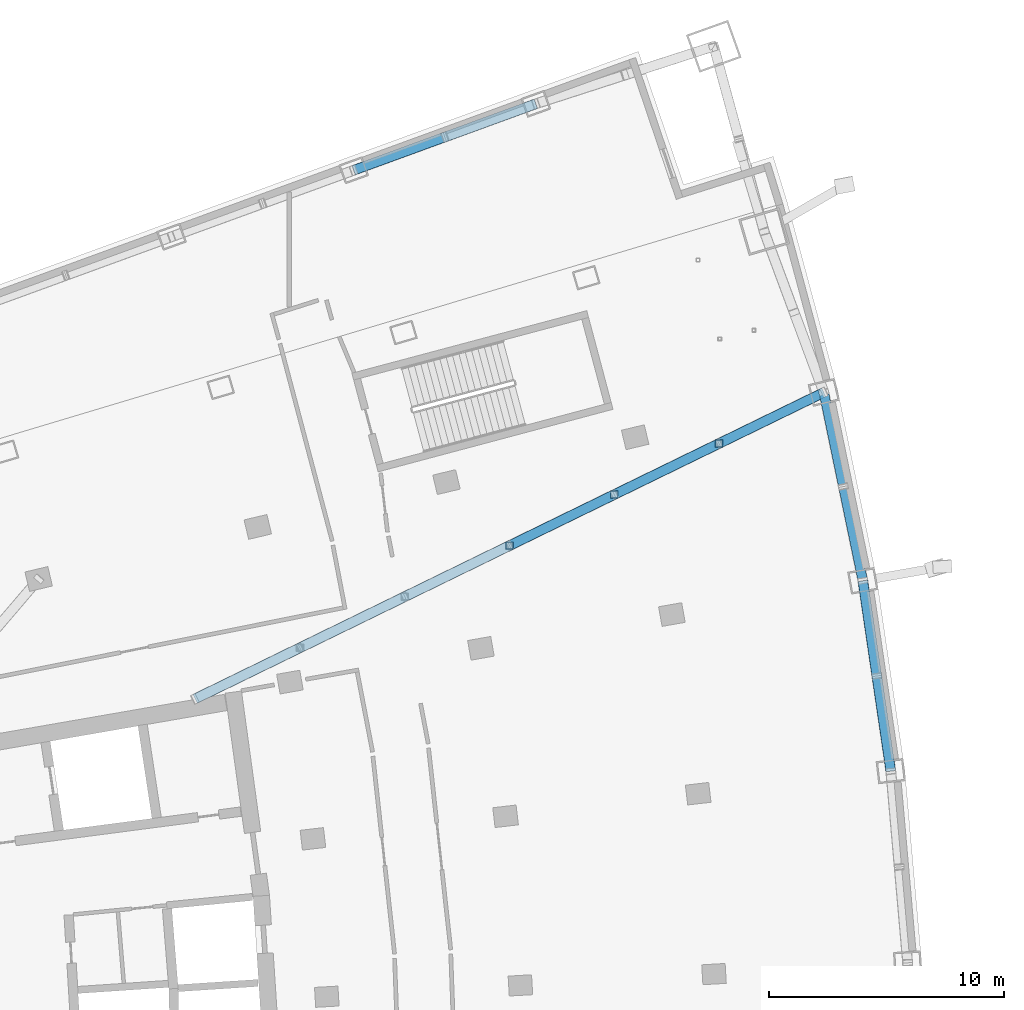
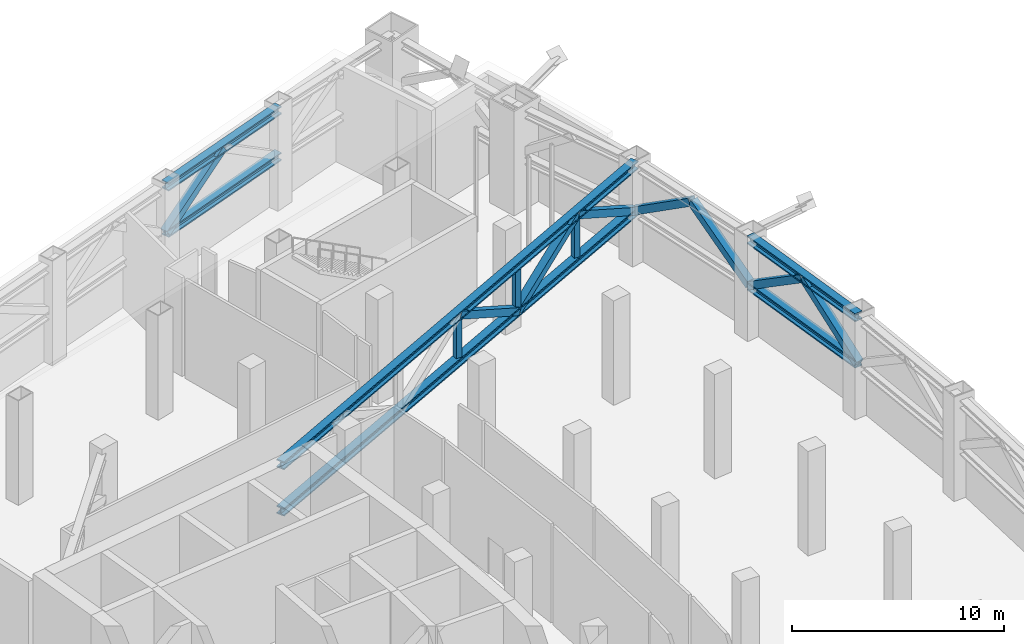
# One storey, part 14 of 26: 17 members.
"""IFC4 building model written with IfcOpenShell, lengths in metres."""

from ifc_helpers import new_model, si_unit, direction, frame, origin, origin_2d, place, context, subcontext, project, spatial, hollow_rectangle, i_section, extrude, material, material_profile, profile_set, type_object, element, save


model = new_model("IFC4")

# Units and contexts
model_context = context("Model", 3, precision=1e-05, world=origin(), true_north=direction((0.0, 1.0)))
body_context = subcontext(model_context, "Body", "Model", "MODEL_VIEW")
ifc_project = project(units=[si_unit("LENGTHUNIT", "METRE"), si_unit("AREAUNIT", "SQUARE_METRE"), si_unit("VOLUMEUNIT", "CUBIC_METRE"), si_unit("PLANEANGLEUNIT", "RADIAN"), si_unit("MASSUNIT", "GRAM", prefix="KILO")], contexts=[model_context])

# Site, building, storey
site_placement = place(None, origin())
site = spatial("IfcSite", under=ifc_project, at=site_placement, CompositionType="ELEMENT")
building_placement = place(site_placement, origin())
building = spatial("IfcBuilding", under=site, at=building_placement, Name="Alderwake Tower", CompositionType="ELEMENT")
storey_placement = place(building_placement, frame((0.0, 0.0, 132.800048828125)))
storey = spatial("IfcBuildingStorey", under=building, at=storey_placement, Name="L32", CompositionType="ELEMENT", Elevation=132.800048828125)

# Members
ifc_material_1 = material(Name="Steel ASTM A992 Grade 50", Category="steel")
ifc_material_profile_1 = material_profile(ifc_material_1, i_section(OverallWidth=0.42138671875, OverallDepth=0.464599609375, WebThickness=0.044921875, FlangeThickness=0.072265625, at=origin_2d()), Name="W14X398")
ifc_profile_set_1 = profile_set([ifc_material_profile_1], Name="Steel ASTM A992 Grade 50")
member_type_1 = type_object("IfcMemberType", Name="Belt truss chord W14X398", PredefinedType="CHORD", material=ifc_profile_set_1)
for number, where, z_axis, x_axis, name in (
    (1, (59.644287109375, 77.3662109375, 5.44775390625), (-0.145317422974, 0.989385085081, 0.0), (-0.989385085081, -0.145317422974, 0.0), "Belt truss chord BT32F09.T"),
    (2, (59.644287109375, 77.3662109375, 2.7822265625), (-0.145317422974, 0.989385085081, 0.0), (-0.989385085081, -0.145317422974, 0.0), "Belt truss chord BT32F09.B"),
):
    element("IfcMember", number, at=place(storey_placement, frame(where, z_axis=z_axis, x_axis=x_axis)), inside=storey, type_object=member_type_1, Name=name, PredefinedType="CHORD", context=body_context, shape_type="SweptSolid", body=[
        extrude(i_section(OverallWidth=0.42138671875, OverallDepth=0.464599609375, WebThickness=0.044921875, FlangeThickness=0.072265625, at=origin_2d()), origin(), (0.0, 0.0, 1.0), 8.200439453125),
    ])
for number, where, z_axis, x_axis, name in (
    (3, (36.749267578125, 102.97802734375, 5.44775390625), (0.939371061086, 0.342902332441, 0.0), (-0.342902332441, 0.939371061086, 0.0), "Belt truss chord BT32E133.T"),
    (4, (36.749267578125, 102.97802734375, 2.7822265625), (0.939371061086, 0.342902332441, 0.0), (-0.342902332441, 0.939371061086, 0.0), "Belt truss chord BT32E133.B"),
):
    element("IfcMember", number, at=place(storey_placement, frame(where, z_axis=z_axis, x_axis=x_axis)), inside=storey, type_object=member_type_1, Name=name, PredefinedType="CHORD", context=body_context, shape_type="SweptSolid", body=[
        extrude(i_section(OverallWidth=0.42138671875, OverallDepth=0.464599609375, WebThickness=0.044921875, FlangeThickness=0.072265625, at=origin_2d()), origin(), (0.0, 0.0, 1.0), 8.266845703125),
    ])
ifc_material_2 = material(Name="Steel ASTM A500 Grade C", Category="steel")
ifc_material_profile_2 = material_profile(ifc_material_2, hollow_rectangle(XDim=0.406494140625, YDim=0.406494140625, WallThickness=0.014892578125, at=origin_2d()), Name="HSS16X16X5/8")
ifc_profile_set_2 = profile_set([ifc_material_profile_2], Name="Steel ASTM A500 Grade C")
member_type_2 = type_object("IfcMemberType", Name="Belt truss diagonal HSS16X16X5/8", PredefinedType="BRACE", material=ifc_profile_set_2)
for number, where, z_axis, x_axis, name in (
    (5, (59.644287109375, 77.3662109375, 2.7822265625), (-0.121859338603, 0.829502159047, 0.545047217891), (-0.989380804195, -0.145346566144, 0.0), "Belt truss diagonal BT32F09.D1"),
    (6, (58.45263671875, 85.4794921875, 2.7822265625), (0.121810157588, -0.829507204294, 0.545050533009), (0.989389365145, 0.145288279427, 0.0), "Belt truss diagonal BT32F09.D2"),
):
    element("IfcMember", number, at=place(storey_placement, frame(where, z_axis=z_axis, x_axis=x_axis)), inside=storey, type_object=member_type_2, Name=name, PredefinedType="BRACE", context=body_context, shape_type="SweptSolid", body=[
        extrude(hollow_rectangle(XDim=0.406494140625, YDim=0.406494140625, WallThickness=0.014892578125, at=origin_2d()), origin(), (0.0, 0.0, 1.0), 4.890380859375),
    ])
for number, where, z_axis, x_axis, name in (
    (7, (58.45263671875, 85.4794921875, 2.7822265625), (-0.169980864574, 0.821000087748, 0.545037027729), (-0.979232302326, -0.202741456246, 0.0), "Belt truss diagonal BT32F10.D1"),
    (8, (56.789794921875, 93.509765625, 2.7822265625), (0.170029342525, -0.820993120129, 0.545032402139), (0.979220479818, 0.202798550058, 0.0), "Belt truss diagonal BT32F10.D2"),
):
    element("IfcMember", number, at=place(storey_placement, frame(where, z_axis=z_axis, x_axis=x_axis)), inside=storey, type_object=member_type_2, Name=name, PredefinedType="BRACE", context=body_context, shape_type="SweptSolid", body=[
        extrude(hollow_rectangle(XDim=0.406494140625, YDim=0.406494140625, WallThickness=0.014892578125, at=origin_2d()), origin(), (0.0, 0.0, 1.0), 4.890625),
    ])
member_placement = place(storey_placement, frame((36.749267578125, 102.97802734375, 2.7822265625), z_axis=(0.789448527034, 0.288200336265, 0.541951648526), x_axis=(-0.34292839209, 0.93936154802, 0.0)))
element("IfcMember", 9, at=member_placement, inside=storey, type_object=member_type_2, Name="Belt truss diagonal BT32E133.D1", PredefinedType="BRACE", context=body_context, shape_type="SweptSolid", body=[
    extrude(hollow_rectangle(XDim=0.406494140625, YDim=0.406494140625, WallThickness=0.014892578125, at=origin_2d()), origin(), (0.0, 0.0, 1.0), 4.91845703125),
])
ifc_material_3 = material(Name="Steel ASTM A992 Grade 50", Category="steel")
ifc_material_profile_3 = material_profile(ifc_material_3, i_section(OverallWidth=0.42138671875, OverallDepth=0.464599609375, WebThickness=0.044921875, FlangeThickness=0.072265625, at=origin_2d()), Name="W14X398")
ifc_profile_set_3 = profile_set([ifc_material_profile_3], Name="Steel ASTM A992 Grade 50")
member_type_3 = type_object("IfcMemberType", Name="Outrigger truss chord W14X398", PredefinedType="CHORD", material=ifc_profile_set_3)
for number, where, z_axis, x_axis, name in (
    (10, (29.993896484375, 80.447998046875, 5.44775390625), (0.898892694791, 0.438168829622, 0.0), (-0.438168829622, 0.898892694791, 0.0), "Outrigger truss chord OR32NF.T"),
    (11, (29.993896484375, 80.447998046875, 2.7822265625), (0.898892694791, 0.438168829622, 0.0), (-0.438168829622, 0.898892694791, 0.0), "Outrigger truss chord OR32NF.B"),
):
    element("IfcMember", number, at=place(storey_placement, frame(where, z_axis=z_axis, x_axis=x_axis)), inside=storey, type_object=member_type_3, Name=name, PredefinedType="CHORD", context=body_context, shape_type="SweptSolid", body=[
        extrude(i_section(OverallWidth=0.42138671875, OverallDepth=0.464599609375, WebThickness=0.044921875, FlangeThickness=0.072265625, at=origin_2d()), origin(), (0.0, 0.0, 1.0), 29.809814453125),
    ])
ifc_material_4 = material(Name="Steel ASTM A500 Grade C", Category="steel")
ifc_material_profile_4 = material_profile(ifc_material_4, hollow_rectangle(XDim=0.406494140625, YDim=0.406494140625, WallThickness=0.014892578125, at=origin_2d()), Name="HSS16X16X5/8")
ifc_profile_set_4 = profile_set([ifc_material_profile_4], Name="Steel ASTM A500 Grade C")
member_type_4 = type_object("IfcMemberType", Name="Outrigger truss diagonal HSS16X16X5/8", PredefinedType="BRACE", material=ifc_profile_set_4)
for number, where, z_axis, x_axis, name in (
    (12, (47.85791015625, 89.15576171875, 2.7822265625), (-0.792098158643, -0.386111588073, 0.472756119612), (0.438168995666, -0.898892613852, 0.0), "Outrigger truss diagonal OR32NF.D4"),
    (13, (47.85791015625, 89.15576171875, 2.7822265625), (0.792098158643, 0.386111588073, 0.472756119612), (-0.438168995666, 0.898892613852, 0.0), "Outrigger truss diagonal OR32NF.D5"),
    (14, (56.789794921875, 93.509765625, 2.7822265625), (-0.792082024847, -0.386124831378, 0.472772334752), (0.43818835049, -0.898883179003, 0.0), "Outrigger truss diagonal OR32NF.D6"),
):
    element("IfcMember", number, at=place(storey_placement, frame(where, z_axis=z_axis, x_axis=x_axis)), inside=storey, type_object=member_type_4, Name=name, PredefinedType="BRACE", context=body_context, shape_type="SweptSolid", body=[
        extrude(hollow_rectangle(XDim=0.406494140625, YDim=0.406494140625, WallThickness=0.014892578125, at=origin_2d()), origin(), (0.0, 0.0, 1.0), 5.63818359375),
    ])
ifc_material_5 = material(Name="Steel ASTM A500 Grade C", Category="steel")
ifc_material_profile_5 = material_profile(ifc_material_5, hollow_rectangle(XDim=0.3046875, YDim=0.3046875, WallThickness=0.01171875, at=origin_2d()), Name="HSS12X12X1/2")
ifc_profile_set_5 = profile_set([ifc_material_profile_5], Name="Steel ASTM A500 Grade C")
member_type_5 = type_object("IfcMemberType", Name="Outrigger truss post HSS12X12X1/2", PredefinedType="POST", material=ifc_profile_set_5)
for number, where, z_axis, x_axis, name in (
    (15, (43.391845703125, 86.978759765625, 3.0146484375), (0.0, 0.0, 1.0), (1.0, 0.0, 0.0), "Outrigger truss post OR32NF.P3"),
    (16, (47.85791015625, 89.15576171875, 3.0146484375), (0.0, 0.0, 1.0), (1.0, 0.0, 0.0), "Outrigger truss post OR32NF.P4"),
    (17, (52.323974609375, 91.332763671875, 3.0146484375), (0.0, 0.0, 1.0), (1.0, 0.0, 0.0), "Outrigger truss post OR32NF.P5"),
):
    element("IfcMember", number, at=place(storey_placement, frame(where, z_axis=z_axis, x_axis=x_axis)), inside=storey, type_object=member_type_5, Name=name, PredefinedType="POST", context=body_context, shape_type="SweptSolid", body=[
        extrude(hollow_rectangle(XDim=0.3046875, YDim=0.3046875, WallThickness=0.01171875, at=origin_2d()), origin(), (0.0, 0.0, 1.0), 2.20068359375),
    ])

save(model, "model.ifc")
